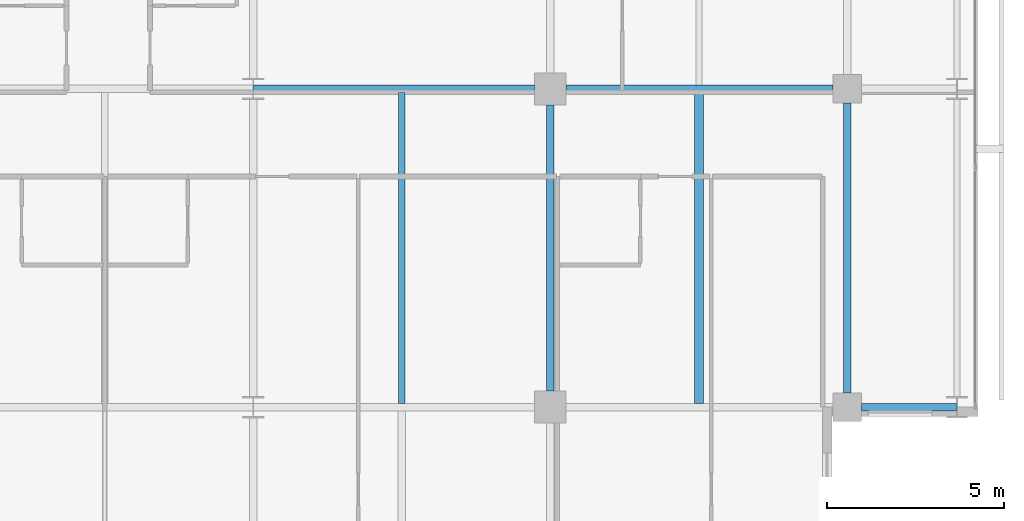
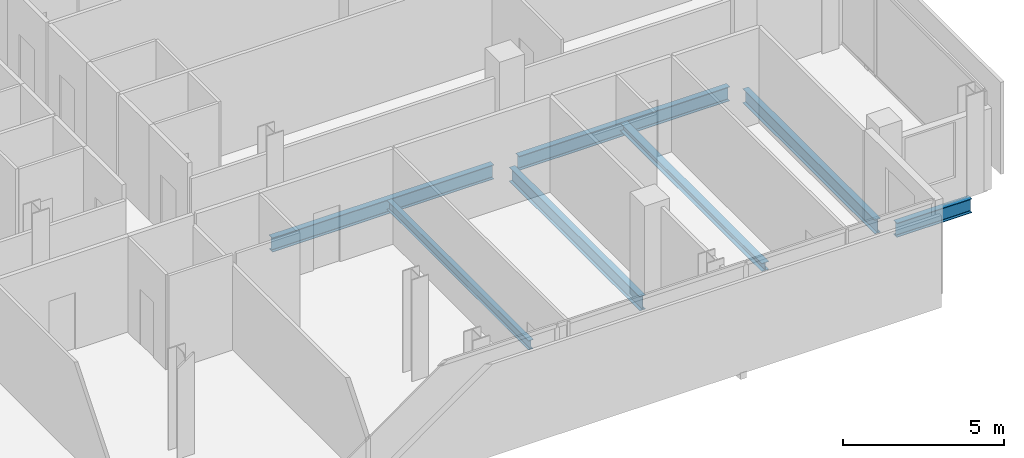
# One storey, part 14 of 34: 7 beams.
"""IFC4 building model written with IfcOpenShell, lengths in metres."""

import ifcopenshell
import ifcopenshell.guid

model = None  # the IFC model being written
_history = None  # IfcOwnerHistory: only IFC2X3 demands one
_inside = {}  # id of a spatial element -> (the spatial element, [elements in it])
_under = {}  # id of a project, library or spatial element -> (it, [spatial elements below it])
_declared = {}  # id of a project -> (the project, [libraries it declares])
_typed = {}  # id of a type object -> (the type object, [elements of that type])
_made_of = {}  # id of a material, layer set ... -> (it, [elements and type objects made of it])


def new_model(schema):
    """Start an empty IFC model of exactly this schema.

    Asked for "IFC4X3", IfcOpenShell would pick the latest addendum, in which some entities
    have other attributes; the version numbers below select the first issue.
    IFC2X3 requires an IfcOwnerHistory on every rooted entity: one is made here for all.
    """
    global model, _history
    if schema == "IFC4X3":
        model = ifcopenshell.file(schema_version=(4, 3, 0, 0))
    else:
        model = ifcopenshell.file(schema=schema)
    _inside.clear()
    _under.clear()
    _declared.clear()
    _typed.clear()
    _made_of.clear()
    _history = None
    if model.schema == "IFC2X3":
        org = make("IfcOrganization", Name="unknown")
        user = make(
            "IfcPersonAndOrganization",
            ThePerson=make("IfcPerson", FamilyName="unknown"),
            TheOrganization=org,
        )
        app = make(
            "IfcApplication",
            ApplicationDeveloper=org,
            Version="unknown",
            ApplicationFullName="unknown",
            ApplicationIdentifier="unknown",
        )
        _history = make(
            "IfcOwnerHistory",
            OwningUser=user,
            OwningApplication=app,
            ChangeAction="ADDED",
            CreationDate=0,
        )
    return model


def make(cls, **values):
    """One entity of the class cls with the attributes given. An attribute that is None is left unset."""
    return model.create_entity(
        cls, **{name: value for name, value in values.items() if value is not None}
    )


def rooted(cls, **values):
    """An entity with a GlobalId (a new one), such as an element, a storey or a relation."""
    return make(cls, GlobalId=ifcopenshell.guid.new(), OwnerHistory=_history, **values)


def si_unit(unit_type, name, prefix=None):
    """IfcSIUnit, for example si_unit("LENGTHUNIT", "METRE", prefix="MILLI")."""
    return make("IfcSIUnit", UnitType=unit_type, Prefix=prefix, Name=name)


def assignment(units):
    """IfcUnitAssignment: the units of a project."""
    return None if units is None else make("IfcUnitAssignment", Units=units)


def point(xyz):
    """IfcCartesianPoint."""
    return None if xyz is None else make("IfcCartesianPoint", Coordinates=xyz)


def direction(xyz):
    """IfcDirection."""
    return None if xyz is None else make("IfcDirection", DirectionRatios=xyz)


def frame(location, z_axis=None, x_axis=None):
    """IfcAxis2Placement3D, a coordinate frame: its origin and axes. An axis left out is left unset."""
    return make(
        "IfcAxis2Placement3D",
        Location=point(location),
        Axis=direction(z_axis),
        RefDirection=direction(x_axis),
    )


def frame_2d(location, x_axis=None):
    """IfcAxis2Placement2D, a coordinate frame in the plane: its origin and x axis."""
    return make(
        "IfcAxis2Placement2D", Location=point(location), RefDirection=direction(x_axis)
    )


def origin():
    """The frame at (0, 0, 0) with its axes left unset."""
    return frame((0.0, 0.0, 0.0))


def origin_2d():
    """The frame at (0, 0) in the plane with its x axis left unset."""
    return frame_2d((0.0, 0.0))


def place(relative_to, where):
    """IfcLocalPlacement: puts the frame where relative to a parent placement (None: the world)."""
    return make(
        "IfcLocalPlacement", PlacementRelTo=relative_to, RelativePlacement=where
    )


def context(
    kind, dimensions, precision=None, world=None, true_north=None, identifier=None
):
    """IfcGeometricRepresentationContext, for example the 3D "Model" context."""
    return make(
        "IfcGeometricRepresentationContext",
        ContextIdentifier=identifier,
        ContextType=kind,
        CoordinateSpaceDimension=dimensions,
        Precision=precision,
        WorldCoordinateSystem=world,
        TrueNorth=true_north,
    )


def subcontext(parent, identifier, kind, view, scale=None):
    """IfcGeometricRepresentationSubContext, for example "Body" below "Model"."""
    return make(
        "IfcGeometricRepresentationSubContext",
        ContextIdentifier=identifier,
        ContextType=kind,
        ParentContext=parent,
        TargetScale=scale,
        TargetView=view,
    )


def project(units=None, contexts=None):
    """IfcProject with its units and contexts."""
    return rooted(
        "IfcProject",
        Name="project",
        RepresentationContexts=contexts,
        UnitsInContext=assignment(units),
    )


def spatial(cls, under=None, at=None, **own):
    """A site, building, storey or space (cls), placed at a placement, below another one or the project."""
    s = rooted(cls, ObjectPlacement=at, **own)
    if under is not None:
        _under.setdefault(under.id(), (under, []))[1].append(s)
    return s


def profile(cls, at=None, kind="AREA", **sizes):
    """A parametric profile (cls). Its sizes go by their IFC names, for example OverallWidth=200.0."""
    return make(cls, ProfileType=kind, Position=at, **sizes)


def i_section(**sizes):
    """IfcIShapeProfileDef."""
    return profile("IfcIShapeProfileDef", **sizes)


def extrude(swept, where, along, depth):
    """IfcExtrudedAreaSolid: the profile swept, set in the frame where, extruded along a direction by depth."""
    return make(
        "IfcExtrudedAreaSolid",
        SweptArea=swept,
        Position=where,
        ExtrudedDirection=direction(along),
        Depth=depth,
    )


def shape(context_of_items, identifier, shape_type, items):
    """IfcShapeRepresentation: the items that make up one representation, for example the "Body"."""
    return make(
        "IfcShapeRepresentation",
        ContextOfItems=context_of_items,
        RepresentationIdentifier=identifier,
        RepresentationType=shape_type,
        Items=items,
    )


def material(Name=None, Category=None):
    """IfcMaterial."""
    return make("IfcMaterial", Name=Name, Category=Category)


def material_profile(
    of_material, cross_section, Name=None, Category=None, Priority=None
):
    """IfcMaterialProfile: a cross section and its material."""
    return make(
        "IfcMaterialProfile",
        Name=Name,
        Material=of_material,
        Profile=cross_section,
        Priority=Priority,
        Category=Category,
    )


def profile_set(profiles, Name=None, composite=None):
    """IfcMaterialProfileSet."""
    return make(
        "IfcMaterialProfileSet",
        Name=Name,
        MaterialProfiles=profiles,
        CompositeProfile=composite,
    )


def made_of(thing, what):
    """Note that an element or type object is made of a material, layer set ...; save() writes the relation."""
    if what is not None:
        _made_of.setdefault(what.id(), (what, []))[1].append(thing)
    return thing


def type_object(cls, material=None, **own):
    """A type object (cls), such as IfcWallType, which elements share."""
    return made_of(rooted(cls, **own), material)


def element(
    cls,
    number,
    at=None,
    inside=None,
    cuts=None,
    type_object=None,
    material=None,
    context=None,
    identifier="Body",
    shape_type=None,
    held_by="IfcProductDefinitionShape",
    body=None,
    shapes=None,
    **own,
):
    """One element of the class cls, such as IfcWall. Its Tag is "e" and its number.

    at: its placement. inside: the storey or other place that contains it. cuts: it is an
    opening in that element (IfcRelVoidsElement). A single representation is given by context,
    identifier, shape_type and body (its items); several are given by shapes. held_by: the class
    of the entity that holds the representations. save() writes the other relations.
    """
    e = rooted(cls, Tag="e%d" % number, ObjectPlacement=at, **own)
    if body is not None:
        shapes = [shape(context, identifier, shape_type, body)]
    if shapes is not None:
        e.Representation = make(held_by, Representations=shapes)
    if inside is not None:
        _inside.setdefault(inside.id(), (inside, []))[1].append(e)
    if cuts is not None:
        rooted(
            "IfcRelVoidsElement", RelatingBuildingElement=cuts, RelatedOpeningElement=e
        )
    if type_object is not None:
        _typed.setdefault(type_object.id(), (type_object, []))[1].append(e)
    return made_of(e, material)


def aggregate(whole, parts):
    """IfcRelAggregates: a whole, such as a stair, and the parts it consists of."""
    return rooted("IfcRelAggregates", RelatingObject=whole, RelatedObjects=parts)


def save(model, path):
    """Write the relations noted so far, then the file.

    IfcRelAggregates (storeys below a building ...), IfcRelContainedInSpatialStructure (elements
    in a storey), IfcRelDefinesByType, IfcRelAssociatesMaterial and IfcRelDeclares: one each for
    every whole, place, type object, material and project.
    """
    for whole, parts in _under.values():
        aggregate(whole, parts)
    for where, things in _inside.values():
        rooted(
            "IfcRelContainedInSpatialStructure",
            RelatedElements=things,
            RelatingStructure=where,
        )
    for kind, things in _typed.values():
        rooted("IfcRelDefinesByType", RelatedObjects=things, RelatingType=kind)
    for what, things in _made_of.values():
        rooted("IfcRelAssociatesMaterial", RelatedObjects=things, RelatingMaterial=what)
    for by, libraries in _declared.values():
        rooted("IfcRelDeclares", RelatingContext=by, RelatedDefinitions=libraries)
    model.write(path)


model = new_model("IFC4")

# Units and contexts
model_context = context("Model", 3, precision=1e-05, world=origin(), true_north=direction((0.0, 1.0)))
body_context = subcontext(model_context, "Body", "Model", "MODEL_VIEW")
ifc_project = project(units=[si_unit("LENGTHUNIT", "METRE"), si_unit("AREAUNIT", "SQUARE_METRE"), si_unit("VOLUMEUNIT", "CUBIC_METRE"), si_unit("PLANEANGLEUNIT", "RADIAN"), si_unit("MASSUNIT", "GRAM", prefix="KILO")], contexts=[model_context])

# Site, building, storey
site_placement = place(None, origin())
site = spatial("IfcSite", under=ifc_project, at=site_placement, CompositionType="ELEMENT")
building_placement = place(site_placement, origin())
building = spatial("IfcBuilding", under=site, at=building_placement, Name="Maruvema Waterfront Hotel and Observation Tower", CompositionType="ELEMENT")
storey_placement = place(building_placement, frame((0.0, 0.0, 212.10009765625)))
storey = spatial("IfcBuildingStorey", under=building, at=storey_placement, Name="L52", CompositionType="ELEMENT", Elevation=212.10009765625)

# Beams
ifc_material_1 = material(Name="Steel ASTM A572 Grade 50", Category="steel")
ifc_material_profile_1 = material_profile(ifc_material_1, i_section(OverallWidth=0.2109375, OverallDepth=0.5390625, WebThickness=0.01171875, FlangeThickness=0.018798828125, FilletRadius=0.014892578125, at=origin_2d()), Name="W530x109.0")
ifc_profile_set_1 = profile_set([ifc_material_profile_1], Name="Steel ASTM A572 Grade 50")
beam_type_1 = type_object("IfcBeamType", Name="Primary Floor Girder W530x109.0", PredefinedType="BEAM", material=ifc_profile_set_1)
beam_1_placement = place(storey_placement, frame((59.199951171875, 9.0, -0.509521484375), z_axis=(1.0, 0.0, 0.0), x_axis=(0.0, 1.0, 0.0)))
element("IfcBeam", 1, at=beam_1_placement, inside=storey, type_object=beam_type_1, Name="L52 Floor Girder EW-10", PredefinedType="BEAM", context=body_context, shape_type="SweptSolid", body=[
    extrude(i_section(OverallWidth=0.2109375, OverallDepth=0.5390625, WebThickness=0.01171875, FlangeThickness=0.018798828125, FilletRadius=0.014892578125, at=origin_2d()), origin(), (0.0, 0.0, 1.0), 2.6875),
])
beam_2_placement = place(storey_placement, frame((42.012451171875, 18.0, -0.509521484375), z_axis=(1.0, 0.0, 0.0), x_axis=(0.0, 1.0, 0.0)))
element("IfcBeam", 2, at=beam_2_placement, inside=storey, type_object=beam_type_1, Name="L52 Floor Girder EW-15", PredefinedType="BEAM", context=body_context, shape_type="SweptSolid", body=[
    extrude(i_section(OverallWidth=0.2109375, OverallDepth=0.5390625, WebThickness=0.01171875, FlangeThickness=0.018798828125, FilletRadius=0.014892578125, at=origin_2d()), origin(), (0.0, 0.0, 1.0), 7.9375),
])
beam_3_placement = place(storey_placement, frame((50.85009765625, 18.0, -0.509521484375), z_axis=(1.0, 0.0, 0.0), x_axis=(0.0, 1.0, 0.0)))
element("IfcBeam", 3, at=beam_3_placement, inside=storey, type_object=beam_type_1, Name="L52 Floor Girder EW-16", PredefinedType="BEAM", context=body_context, shape_type="SweptSolid", body=[
    extrude(i_section(OverallWidth=0.2109375, OverallDepth=0.5390625, WebThickness=0.01171875, FlangeThickness=0.018798828125, FilletRadius=0.014892578125, at=origin_2d()), origin(), (0.0, 0.0, 1.0), 7.5498046875),
])
beam_4_placement = place(storey_placement, frame((50.39990234375, 9.449951171875, -0.509521484375), z_axis=(0.0, 1.0, 0.0), x_axis=(-1.0, 0.0, 0.0)))
element("IfcBeam", 4, at=beam_4_placement, inside=storey, type_object=beam_type_1, Name="L52 Floor Girder NS-21", PredefinedType="BEAM", context=body_context, shape_type="SweptSolid", body=[
    extrude(i_section(OverallWidth=0.2109375, OverallDepth=0.5390625, WebThickness=0.01171875, FlangeThickness=0.018798828125, FilletRadius=0.014892578125, at=origin_2d()), origin(), (0.0, 0.0, 1.0), 8.10009765625),
])
beam_5_placement = place(storey_placement, frame((58.800048828125, 9.39990234375, -0.509521484375), z_axis=(0.0, 1.0, 0.0), x_axis=(-1.0, 0.0, 0.0)))
element("IfcBeam", 5, at=beam_5_placement, inside=storey, type_object=beam_type_1, Name="L52 Floor Girder NS-25", PredefinedType="BEAM", context=body_context, shape_type="SweptSolid", body=[
    extrude(i_section(OverallWidth=0.2109375, OverallDepth=0.5390625, WebThickness=0.01171875, FlangeThickness=0.018798828125, FilletRadius=0.014892578125, at=origin_2d()), origin(), (0.0, 0.0, 1.0), 8.2001953125),
])
ifc_material_2 = material(Name="Steel ASTM A572 Grade 50", Category="steel")
ifc_material_profile_2 = material_profile(ifc_material_2, i_section(OverallWidth=0.25390625, OverallDepth=0.305908203125, WebThickness=0.0087890625, FlangeThickness=0.0146484375, FilletRadius=0.014892578125, at=origin_2d()), Name="W310x79.0")
ifc_profile_set_2 = profile_set([ifc_material_profile_2], Name="Steel ASTM A572 Grade 50")
beam_type_2 = type_object("IfcBeamType", Name="Secondary Floor Joist W310x79.0", PredefinedType="JOIST", material=ifc_profile_set_2)
beam_6_placement = place(storey_placement, frame((54.60009765625, 9.10546875, -0.39306640625), z_axis=(0.0, 1.0, 0.0), x_axis=(-1.0, 0.0, 0.0)))
element("IfcBeam", 6, at=beam_6_placement, inside=storey, type_object=beam_type_2, Name="L52 Secondary Floor Joist JS-11", PredefinedType="JOIST", context=body_context, shape_type="SweptSolid", body=[
    extrude(i_section(OverallWidth=0.25390625, OverallDepth=0.305908203125, WebThickness=0.0087890625, FlangeThickness=0.0146484375, FilletRadius=0.014892578125, at=origin_2d()), origin(), (0.0, 0.0, 1.0), 8.7890625),
])
ifc_material_3 = material(Name="Steel ASTM A572 Grade 50", Category="steel")
ifc_material_profile_3 = material_profile(ifc_material_3, i_section(OverallWidth=0.1708984375, OverallDepth=0.35498046875, WebThickness=0.007080078125, FlangeThickness=0.01171875, FilletRadius=0.014892578125, at=origin_2d()), Name="W360x51.0")
ifc_profile_set_3 = profile_set([ifc_material_profile_3], Name="Steel ASTM A572 Grade 50")
beam_type_3 = type_object("IfcBeamType", Name="Secondary Floor Joist W360x51.0", PredefinedType="JOIST", material=ifc_profile_set_3)
beam_7_placement = place(storey_placement, frame((46.199951171875, 9.10546875, -0.41748046875), z_axis=(0.0, 1.0, 0.0), x_axis=(-1.0, 0.0, 0.0)))
element("IfcBeam", 7, at=beam_7_placement, inside=storey, type_object=beam_type_3, Name="L52 Secondary Floor Joist JS-10", PredefinedType="JOIST", context=body_context, shape_type="SweptSolid", body=[
    extrude(i_section(OverallWidth=0.1708984375, OverallDepth=0.35498046875, WebThickness=0.007080078125, FlangeThickness=0.01171875, FilletRadius=0.014892578125, at=origin_2d()), origin(), (0.0, 0.0, 1.0), 8.7890625),
])

save(model, "model.ifc")
